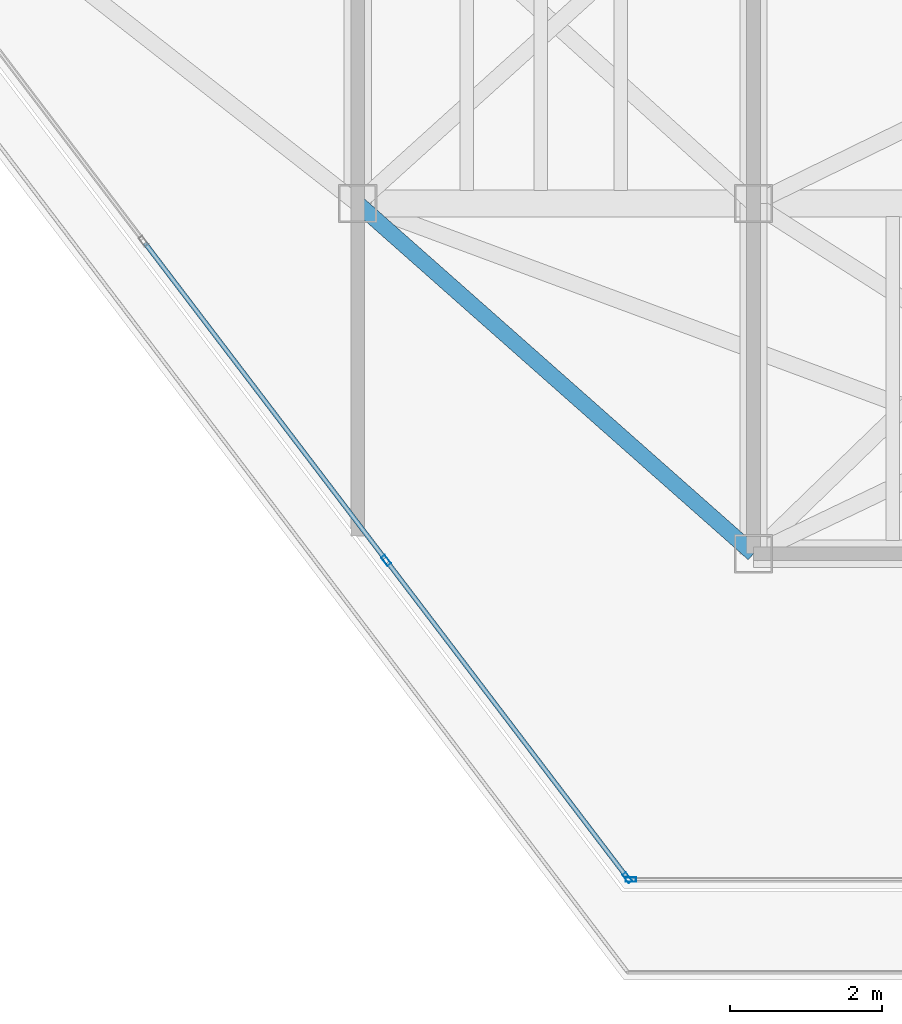
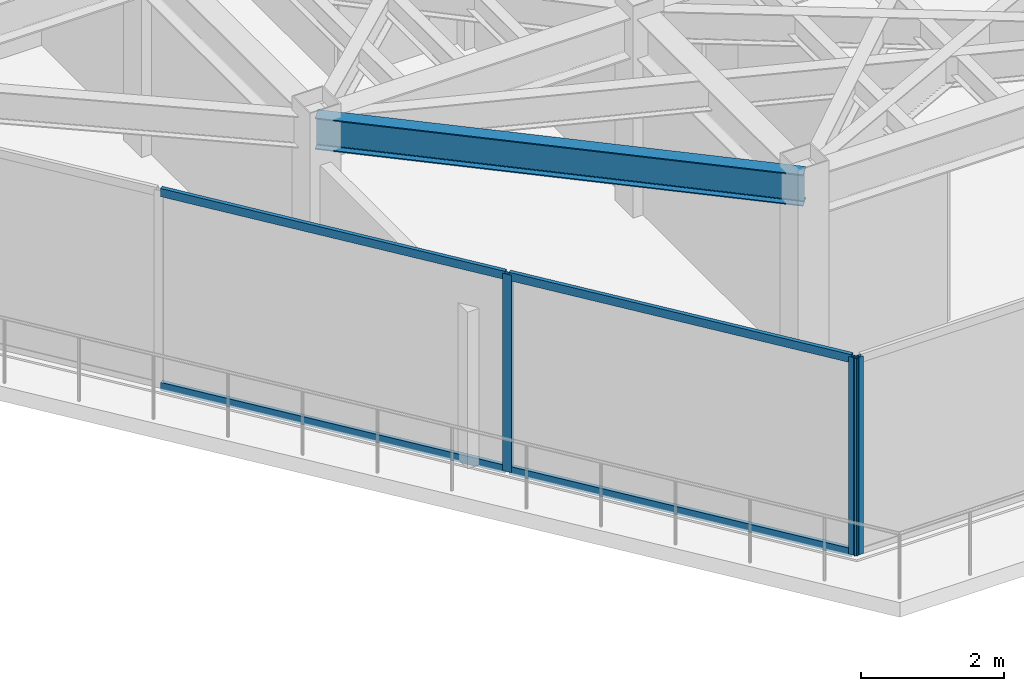
# One storey, part 6 of 20: 7 members, 1 beam, 2 elements without a shape of their own.
"""IFC4 building model written with IfcOpenShell, lengths in metres."""

from ifc_helpers import new_model, si_unit, direction, frame, origin, origin_2d, place, context, subcontext, project, spatial, hollow_rectangle, i_section, extrude, material, layer, layer_set, material_profile, profile_set, type_object, element, aggregate, save


model = new_model("IFC4")

# Units and contexts
model_context = context("Model", 3, precision=1e-05, world=origin(), true_north=direction((0.0, 1.0)))
body_context = subcontext(model_context, "Body", "Model", "MODEL_VIEW")
ifc_project = project(units=[si_unit("LENGTHUNIT", "METRE"), si_unit("AREAUNIT", "SQUARE_METRE"), si_unit("VOLUMEUNIT", "CUBIC_METRE"), si_unit("PLANEANGLEUNIT", "RADIAN"), si_unit("MASSUNIT", "GRAM", prefix="KILO")], contexts=[model_context])

# Site, building, storey
site_placement = place(None, origin())
site = spatial("IfcSite", under=ifc_project, at=site_placement, CompositionType="ELEMENT")
building_placement = place(site_placement, origin())
building = spatial("IfcBuilding", under=site, at=building_placement, Name="Kravanh Interchange Tower", CompositionType="ELEMENT")
storey_placement = place(building_placement, frame((0.0, 0.0, 245.39990234375)))
storey = spatial("IfcBuildingStorey", under=building, at=storey_placement, Name="L59", CompositionType="ELEMENT", Elevation=245.39990234375)

# Curtain wall, member
ifc_material_1 = material(Name="Anodised Bronze Aluminium", Category="aluminium")
ifc_layer = layer(ifc_material_1, 0.179931640625)
ifc_layer_set = layer_set([ifc_layer], Name="Unitised Curtain Wall System CW-HTL Luxury Hotel")
curtain_wall_type = type_object("IfcCurtainWallType", Name="Unitised Curtain Wall System CW-HTL Luxury Hotel", PredefinedType="NOTDEFINED", material=ifc_layer_set)
curtain_wall_1_placement = place(storey_placement, origin())
curtain_wall_1 = element("IfcCurtainWall", 1, at=curtain_wall_1_placement, inside=storey, type_object=curtain_wall_type, Name="L59 Unitised Curtain Wall CW-L59-03", PredefinedType="NOTDEFINED")
ifc_material_2 = material(Name="Anodised Bronze Aluminium", Category="aluminium")
ifc_material_profile_1 = material_profile(ifc_material_2, hollow_rectangle(XDim=0.06005859375, YDim=0.139892578125, WallThickness=0.00390625, at=origin_2d()), Name="ALU60X140X4")
ifc_profile_set_1 = profile_set([ifc_material_profile_1], Name="Anodised Bronze Aluminium")
member_type_1 = type_object("IfcMemberType", Name="Curtain Wall Mullion ALU60X140X4 Bronze", PredefinedType="MULLION", material=ifc_profile_set_1)
member_1_placement = place(storey_placement, frame((54.389404296875, 17.919921875, 0.0), z_axis=(0.0, 0.0, 1.0), x_axis=(0.0, -1.0, 0.0)))
member_1 = element("IfcMember", 2, at=member_1_placement, type_object=member_type_1, Name="CW-HTL mullion 3", PredefinedType="MULLION", context=body_context, shape_type="SweptSolid", body=[
    extrude(hollow_rectangle(XDim=0.06005859375, YDim=0.139892578125, WallThickness=0.00390625, at=origin_2d()), origin(), (0.0, 0.0, 1.0), 3.360107421875),
])
aggregate(curtain_wall_1, [member_1])

# Curtain wall, members
curtain_wall_2_placement = place(storey_placement, origin())
curtain_wall_2 = element("IfcCurtainWall", 3, at=curtain_wall_2_placement, inside=storey, type_object=curtain_wall_type, Name="L59 Unitised Curtain Wall CW-L59-04", PredefinedType="NOTDEFINED")
member_2_placement = place(storey_placement, frame((54.34130859375, 17.94384765625, 0.0), z_axis=(0.0, 0.0, 1.0), x_axis=(-0.79616243806, -0.605082946564, 0.0)))
member_2 = element("IfcMember", 4, at=member_2_placement, type_object=member_type_1, Name="CW-HTL mullion 1", PredefinedType="MULLION", context=body_context, shape_type="SweptSolid", body=[
    extrude(hollow_rectangle(XDim=0.06005859375, YDim=0.139892578125, WallThickness=0.00390625, at=origin_2d()), origin(), (0.0, 0.0, 1.0), 3.360107421875),
])
member_3_placement = place(storey_placement, frame((51.173095703125, 22.11279296875, 0.0), z_axis=(0.0, 0.0, 1.0), x_axis=(-0.79616243806, -0.605082946564, 0.0)))
member_3 = element("IfcMember", 5, at=member_3_placement, type_object=member_type_1, Name="CW-HTL mullion 2", PredefinedType="MULLION", context=body_context, shape_type="SweptSolid", body=[
    extrude(hollow_rectangle(XDim=0.06005859375, YDim=0.139892578125, WallThickness=0.00390625, at=origin_2d()), origin(), (0.0, 0.0, 1.0), 3.360107421875),
])
ifc_material_3 = material(Name="Anodised Bronze Aluminium", Category="aluminium")
ifc_material_profile_2 = material_profile(ifc_material_3, hollow_rectangle(XDim=0.06005859375, YDim=0.139892578125, WallThickness=0.00390625, at=origin_2d()), Name="ALU60X140X4")
ifc_profile_set_2 = profile_set([ifc_material_profile_2], Name="Anodised Bronze Aluminium")
member_type_2 = type_object("IfcMemberType", Name="Curtain Wall Transom ALU60X140X4 Bronze", PredefinedType="USERDEFINED", material=ifc_profile_set_2)
member_4_placement = place(storey_placement, frame((54.3232421875, 17.9677734375, 0.030029296875), z_axis=(-0.605089246946, 0.796157649734, 0.0), x_axis=(-0.796157649734, -0.605089246946, 0.0)))
member_4 = element("IfcMember", 6, at=member_4_placement, type_object=member_type_2, Name="CW-HTL transom 1.1", ObjectType="TRANSOM", PredefinedType="USERDEFINED", context=body_context, shape_type="SweptSolid", body=[
    extrude(hollow_rectangle(XDim=0.06005859375, YDim=0.139892578125, WallThickness=0.00390625, at=origin_2d()), origin(), (0.0, 0.0, 1.0), 5.17626953125),
])
member_5_placement = place(storey_placement, frame((54.3232421875, 17.9677734375, 3.330078125), z_axis=(-0.605089246946, 0.796157649734, 0.0), x_axis=(-0.796157649734, -0.605089246946, 0.0)))
member_5 = element("IfcMember", 7, at=member_5_placement, type_object=member_type_2, Name="CW-HTL transom 1.2", ObjectType="TRANSOM", PredefinedType="USERDEFINED", context=body_context, shape_type="SweptSolid", body=[
    extrude(hollow_rectangle(XDim=0.06005859375, YDim=0.139892578125, WallThickness=0.00390625, at=origin_2d()), origin(), (0.0, 0.0, 1.0), 5.17626953125),
])
member_6_placement = place(storey_placement, frame((51.15478515625, 22.13671875, 0.030029296875), z_axis=(-0.605074944506, 0.796168519555, 0.0), x_axis=(-0.796168519555, -0.605074944506, 0.0)))
member_6 = element("IfcMember", 8, at=member_6_placement, type_object=member_type_2, Name="CW-HTL transom 2.1", ObjectType="TRANSOM", PredefinedType="USERDEFINED", context=body_context, shape_type="SweptSolid", body=[
    extrude(hollow_rectangle(XDim=0.06005859375, YDim=0.139892578125, WallThickness=0.00390625, at=origin_2d()), origin(), (0.0, 0.0, 1.0), 5.206298828125),
])
member_7_placement = place(storey_placement, frame((51.15478515625, 22.13671875, 3.330078125), z_axis=(-0.605074944506, 0.796168519555, 0.0), x_axis=(-0.796168519555, -0.605074944506, 0.0)))
member_7 = element("IfcMember", 9, at=member_7_placement, type_object=member_type_2, Name="CW-HTL transom 2.2", ObjectType="TRANSOM", PredefinedType="USERDEFINED", context=body_context, shape_type="SweptSolid", body=[
    extrude(hollow_rectangle(XDim=0.06005859375, YDim=0.139892578125, WallThickness=0.00390625, at=origin_2d()), origin(), (0.0, 0.0, 1.0), 5.206298828125),
])
aggregate(curtain_wall_2, [member_2, member_3, member_4, member_5, member_6, member_7])

# Beam
ifc_material_4 = material(Name="Structural Steel S355", Category="steel")
ifc_material_profile_3 = material_profile(ifc_material_4, i_section(OverallWidth=0.2099609375, OverallDepth=0.537109375, WebThickness=0.010986328125, FlangeThickness=0.017333984375, FilletRadius=0.02001953125, at=origin_2d()), Name="W21X68")
ifc_profile_set_3 = profile_set([ifc_material_profile_3], Name="Structural Steel S355")
beam_type = type_object("IfcBeamType", Name="Floor Spandrel W21X68 Structural Steel S355", PredefinedType="SPANDREL", material=ifc_profile_set_3)
beam_placement = place(storey_placement, frame((50.800048828125, 26.800048828125, 3.091552734375), z_axis=(0.74898649432, -0.662585263439, 0.0), x_axis=(0.662585263439, 0.74898649432, 0.0)))
element("IfcBeam", 10, at=beam_placement, inside=storey, type_object=beam_type, Name="L59 Perimeter Spandrel 32", PredefinedType="SPANDREL", context=body_context, shape_type="SweptSolid", body=[
    extrude(i_section(OverallWidth=0.2099609375, OverallDepth=0.537109375, WebThickness=0.010986328125, FlangeThickness=0.017333984375, FilletRadius=0.02001953125, at=origin_2d()), origin(), (0.0, 0.0, 1.0), 6.942626953125),
])

save(model, "model.ifc")
